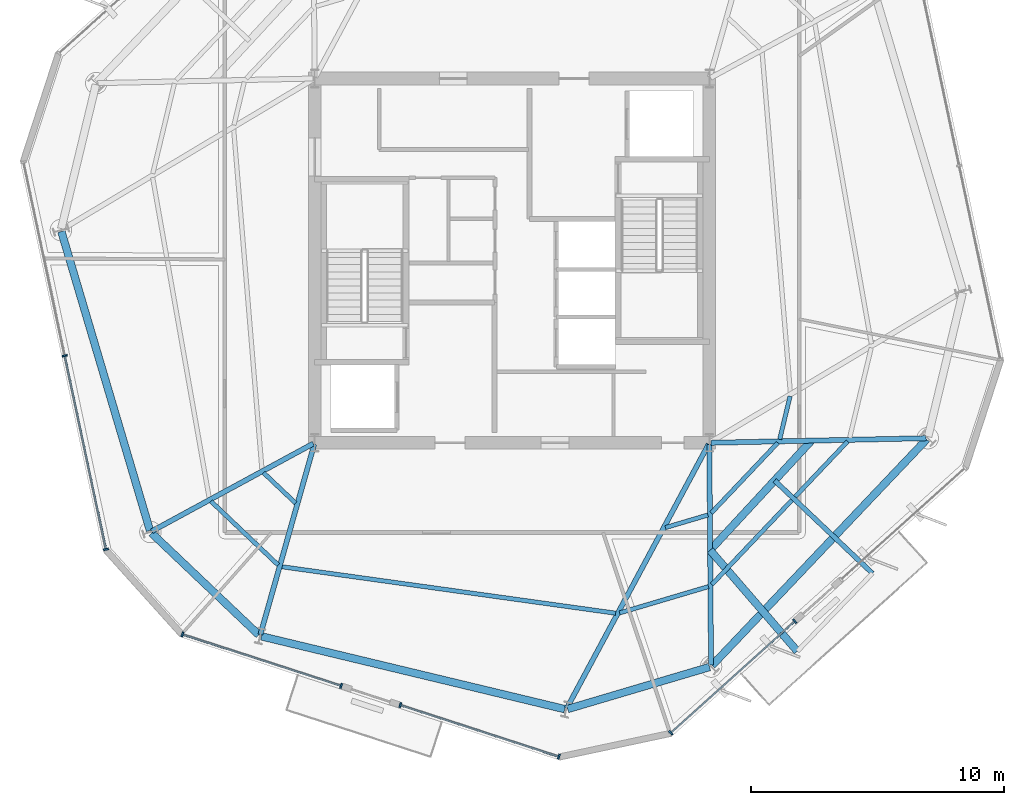
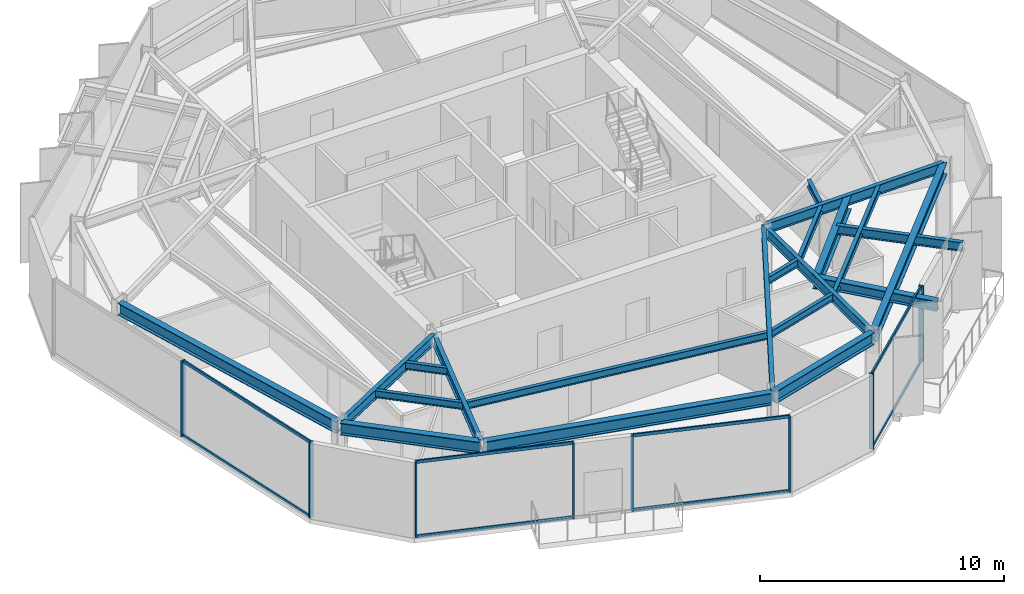
# One storey, part 2 of 11: 21 beams, 16 members, 4 elements without a shape of their own.
"""IFC4 building model written with IfcOpenShell, lengths in metres."""

import ifcopenshell
import ifcopenshell.guid

model = None  # the IFC model being written
_history = None  # IfcOwnerHistory: only IFC2X3 demands one
_inside = {}  # id of a spatial element -> (the spatial element, [elements in it])
_under = {}  # id of a project, library or spatial element -> (it, [spatial elements below it])
_declared = {}  # id of a project -> (the project, [libraries it declares])
_typed = {}  # id of a type object -> (the type object, [elements of that type])
_made_of = {}  # id of a material, layer set ... -> (it, [elements and type objects made of it])


def new_model(schema):
    """Start an empty IFC model of exactly this schema.

    Asked for "IFC4X3", IfcOpenShell would pick the latest addendum, in which some entities
    have other attributes; the version numbers below select the first issue.
    IFC2X3 requires an IfcOwnerHistory on every rooted entity: one is made here for all.
    """
    global model, _history
    if schema == "IFC4X3":
        model = ifcopenshell.file(schema_version=(4, 3, 0, 0))
    else:
        model = ifcopenshell.file(schema=schema)
    _inside.clear()
    _under.clear()
    _declared.clear()
    _typed.clear()
    _made_of.clear()
    _history = None
    if model.schema == "IFC2X3":
        org = make("IfcOrganization", Name="unknown")
        user = make(
            "IfcPersonAndOrganization",
            ThePerson=make("IfcPerson", FamilyName="unknown"),
            TheOrganization=org,
        )
        app = make(
            "IfcApplication",
            ApplicationDeveloper=org,
            Version="unknown",
            ApplicationFullName="unknown",
            ApplicationIdentifier="unknown",
        )
        _history = make(
            "IfcOwnerHistory",
            OwningUser=user,
            OwningApplication=app,
            ChangeAction="ADDED",
            CreationDate=0,
        )
    return model


def make(cls, **values):
    """One entity of the class cls with the attributes given. An attribute that is None is left unset."""
    return model.create_entity(
        cls, **{name: value for name, value in values.items() if value is not None}
    )


def rooted(cls, **values):
    """An entity with a GlobalId (a new one), such as an element, a storey or a relation."""
    return make(cls, GlobalId=ifcopenshell.guid.new(), OwnerHistory=_history, **values)


def si_unit(unit_type, name, prefix=None):
    """IfcSIUnit, for example si_unit("LENGTHUNIT", "METRE", prefix="MILLI")."""
    return make("IfcSIUnit", UnitType=unit_type, Prefix=prefix, Name=name)


def assignment(units):
    """IfcUnitAssignment: the units of a project."""
    return None if units is None else make("IfcUnitAssignment", Units=units)


def point(xyz):
    """IfcCartesianPoint."""
    return None if xyz is None else make("IfcCartesianPoint", Coordinates=xyz)


def direction(xyz):
    """IfcDirection."""
    return None if xyz is None else make("IfcDirection", DirectionRatios=xyz)


def frame(location, z_axis=None, x_axis=None):
    """IfcAxis2Placement3D, a coordinate frame: its origin and axes. An axis left out is left unset."""
    return make(
        "IfcAxis2Placement3D",
        Location=point(location),
        Axis=direction(z_axis),
        RefDirection=direction(x_axis),
    )


def frame_2d(location, x_axis=None):
    """IfcAxis2Placement2D, a coordinate frame in the plane: its origin and x axis."""
    return make(
        "IfcAxis2Placement2D", Location=point(location), RefDirection=direction(x_axis)
    )


def origin():
    """The frame at (0, 0, 0) with its axes left unset."""
    return frame((0.0, 0.0, 0.0))


def origin_2d():
    """The frame at (0, 0) in the plane with its x axis left unset."""
    return frame_2d((0.0, 0.0))


def place(relative_to, where):
    """IfcLocalPlacement: puts the frame where relative to a parent placement (None: the world)."""
    return make(
        "IfcLocalPlacement", PlacementRelTo=relative_to, RelativePlacement=where
    )


def context(
    kind, dimensions, precision=None, world=None, true_north=None, identifier=None
):
    """IfcGeometricRepresentationContext, for example the 3D "Model" context."""
    return make(
        "IfcGeometricRepresentationContext",
        ContextIdentifier=identifier,
        ContextType=kind,
        CoordinateSpaceDimension=dimensions,
        Precision=precision,
        WorldCoordinateSystem=world,
        TrueNorth=true_north,
    )


def subcontext(parent, identifier, kind, view, scale=None):
    """IfcGeometricRepresentationSubContext, for example "Body" below "Model"."""
    return make(
        "IfcGeometricRepresentationSubContext",
        ContextIdentifier=identifier,
        ContextType=kind,
        ParentContext=parent,
        TargetScale=scale,
        TargetView=view,
    )


def project(units=None, contexts=None):
    """IfcProject with its units and contexts."""
    return rooted(
        "IfcProject",
        Name="project",
        RepresentationContexts=contexts,
        UnitsInContext=assignment(units),
    )


def spatial(cls, under=None, at=None, **own):
    """A site, building, storey or space (cls), placed at a placement, below another one or the project."""
    s = rooted(cls, ObjectPlacement=at, **own)
    if under is not None:
        _under.setdefault(under.id(), (under, []))[1].append(s)
    return s


def profile(cls, at=None, kind="AREA", **sizes):
    """A parametric profile (cls). Its sizes go by their IFC names, for example OverallWidth=200.0."""
    return make(cls, ProfileType=kind, Position=at, **sizes)


def rectangle(**sizes):
    """IfcRectangleProfileDef."""
    return profile("IfcRectangleProfileDef", **sizes)


def i_section(**sizes):
    """IfcIShapeProfileDef."""
    return profile("IfcIShapeProfileDef", **sizes)


def extrude(swept, where, along, depth):
    """IfcExtrudedAreaSolid: the profile swept, set in the frame where, extruded along a direction by depth."""
    return make(
        "IfcExtrudedAreaSolid",
        SweptArea=swept,
        Position=where,
        ExtrudedDirection=direction(along),
        Depth=depth,
    )


def shape(context_of_items, identifier, shape_type, items):
    """IfcShapeRepresentation: the items that make up one representation, for example the "Body"."""
    return make(
        "IfcShapeRepresentation",
        ContextOfItems=context_of_items,
        RepresentationIdentifier=identifier,
        RepresentationType=shape_type,
        Items=items,
    )


def material(Name=None, Category=None):
    """IfcMaterial."""
    return make("IfcMaterial", Name=Name, Category=Category)


def layer(
    of_material, thickness, ventilated=None, Name=None, Category=None, Priority=None
):
    """IfcMaterialLayer: one layer of a wall or slab, of a material (None: an air gap)."""
    return make(
        "IfcMaterialLayer",
        Material=of_material,
        LayerThickness=thickness,
        IsVentilated=ventilated,
        Name=Name,
        Category=Category,
        Priority=Priority,
    )


def layer_set(layers, Name=None):
    """IfcMaterialLayerSet."""
    return make("IfcMaterialLayerSet", MaterialLayers=layers, LayerSetName=Name)


def material_profile(
    of_material, cross_section, Name=None, Category=None, Priority=None
):
    """IfcMaterialProfile: a cross section and its material."""
    return make(
        "IfcMaterialProfile",
        Name=Name,
        Material=of_material,
        Profile=cross_section,
        Priority=Priority,
        Category=Category,
    )


def profile_set(profiles, Name=None, composite=None):
    """IfcMaterialProfileSet."""
    return make(
        "IfcMaterialProfileSet",
        Name=Name,
        MaterialProfiles=profiles,
        CompositeProfile=composite,
    )


def made_of(thing, what):
    """Note that an element or type object is made of a material, layer set ...; save() writes the relation."""
    if what is not None:
        _made_of.setdefault(what.id(), (what, []))[1].append(thing)
    return thing


def type_object(cls, material=None, **own):
    """A type object (cls), such as IfcWallType, which elements share."""
    return made_of(rooted(cls, **own), material)


def element(
    cls,
    number,
    at=None,
    inside=None,
    cuts=None,
    type_object=None,
    material=None,
    context=None,
    identifier="Body",
    shape_type=None,
    held_by="IfcProductDefinitionShape",
    body=None,
    shapes=None,
    **own,
):
    """One element of the class cls, such as IfcWall. Its Tag is "e" and its number.

    at: its placement. inside: the storey or other place that contains it. cuts: it is an
    opening in that element (IfcRelVoidsElement). A single representation is given by context,
    identifier, shape_type and body (its items); several are given by shapes. held_by: the class
    of the entity that holds the representations. save() writes the other relations.
    """
    e = rooted(cls, Tag="e%d" % number, ObjectPlacement=at, **own)
    if body is not None:
        shapes = [shape(context, identifier, shape_type, body)]
    if shapes is not None:
        e.Representation = make(held_by, Representations=shapes)
    if inside is not None:
        _inside.setdefault(inside.id(), (inside, []))[1].append(e)
    if cuts is not None:
        rooted(
            "IfcRelVoidsElement", RelatingBuildingElement=cuts, RelatedOpeningElement=e
        )
    if type_object is not None:
        _typed.setdefault(type_object.id(), (type_object, []))[1].append(e)
    return made_of(e, material)


def aggregate(whole, parts):
    """IfcRelAggregates: a whole, such as a stair, and the parts it consists of."""
    return rooted("IfcRelAggregates", RelatingObject=whole, RelatedObjects=parts)


def save(model, path):
    """Write the relations noted so far, then the file.

    IfcRelAggregates (storeys below a building ...), IfcRelContainedInSpatialStructure (elements
    in a storey), IfcRelDefinesByType, IfcRelAssociatesMaterial and IfcRelDeclares: one each for
    every whole, place, type object, material and project.
    """
    for whole, parts in _under.values():
        aggregate(whole, parts)
    for where, things in _inside.values():
        rooted(
            "IfcRelContainedInSpatialStructure",
            RelatedElements=things,
            RelatingStructure=where,
        )
    for kind, things in _typed.values():
        rooted("IfcRelDefinesByType", RelatedObjects=things, RelatingType=kind)
    for what, things in _made_of.values():
        rooted("IfcRelAssociatesMaterial", RelatedObjects=things, RelatingMaterial=what)
    for by, libraries in _declared.values():
        rooted("IfcRelDeclares", RelatingContext=by, RelatedDefinitions=libraries)
    model.write(path)


model = new_model("IFC4")

# Units and contexts
model_context = context("Model", 3, precision=1e-05, world=origin(), true_north=direction((0.0, 1.0)))
body_context = subcontext(model_context, "Body", "Model", "MODEL_VIEW")
ifc_project = project(units=[si_unit("LENGTHUNIT", "METRE"), si_unit("AREAUNIT", "SQUARE_METRE"), si_unit("VOLUMEUNIT", "CUBIC_METRE"), si_unit("PLANEANGLEUNIT", "RADIAN"), si_unit("MASSUNIT", "GRAM", prefix="KILO")], contexts=[model_context])

# Site, building, storey
site_placement = place(None, origin())
site = spatial("IfcSite", under=ifc_project, at=site_placement, CompositionType="ELEMENT")
building_placement = place(site_placement, origin())
building = spatial("IfcBuilding", under=site, at=building_placement, Name="Kranzbogen Civic Tower", CompositionType="ELEMENT")
storey_placement = place(building_placement, frame((0.0, 0.0, 192.800048828125)))
storey = spatial("IfcBuildingStorey", under=building, at=storey_placement, Name="L46", CompositionType="ELEMENT", Elevation=192.800048828125)

# Beam
ifc_material_1 = material(Name="Steel S355", Category="steel")
ifc_material_profile_1 = material_profile(ifc_material_1, i_section(OverallWidth=0.18994140625, OverallDepth=0.449951171875, WebThickness=0.009521484375, FlangeThickness=0.0146484375, at=origin_2d()), Name="IPE 450")
ifc_profile_set_1 = profile_set([ifc_material_profile_1], Name="Steel S355")
beam_type_1 = type_object("IfcBeamType", Name="Braced Terrace Edge Beam IPE 450", PredefinedType="BEAM", material=ifc_profile_set_1)
beam_1_placement = place(storey_placement, frame((35.37890625, 16.31201171875, 3.52490234375), z_axis=(0.725451974353, -0.688272789603, 0.0), x_axis=(0.688272789603, 0.725451974353, 0.0)))
element("IfcBeam", 1, at=beam_1_placement, inside=storey, type_object=beam_type_1, Name="L47 back-spanned terrace beam L47-TB2-2", PredefinedType="BEAM", context=body_context, shape_type="SweptSolid", body=[
    extrude(i_section(OverallWidth=0.18994140625, OverallDepth=0.449951171875, WebThickness=0.009521484375, FlangeThickness=0.0146484375, at=origin_2d()), origin(), (0.0, 0.0, 1.0), 5.33203125),
])

# Curtain wall, members
ifc_material_2 = material(Name="Pale Anodised Aluminium", Category="aluminium")
ifc_layer = layer(ifc_material_2, 0.219970703125, Name="Pale Anodised Aluminium")
ifc_layer_set = layer_set([ifc_layer], Name="Pale Anodised Aluminium")
curtain_wall_type = type_object("IfcCurtainWallType", Name="Zone 3 Stick Curtain Wall System CW-04", PredefinedType="USERDEFINED", material=ifc_layer_set)
curtain_wall_1_placement = place(storey_placement, origin())
curtain_wall_1 = element("IfcCurtainWall", 2, at=curtain_wall_1_placement, inside=storey, type_object=curtain_wall_type, Name="L46 curtain wall CW-L46-F3", ObjectType="STICK CURTAIN WALL", PredefinedType="USERDEFINED")
ifc_material_profile_2 = material_profile(ifc_material_2, rectangle(XDim=0.070068359375, YDim=0.199951171875, at=origin_2d()), Name="ALU-M 70x200")
ifc_profile_set_2 = profile_set([ifc_material_profile_2], Name="Pale Anodised Aluminium")
member_type_1 = type_object("IfcMemberType", Name="Curtain Wall Mullion ALU-M 70x200", PredefinedType="MULLION", material=ifc_profile_set_2)
member_1_placement = place(storey_placement, frame((7.322998046875, 21.242431640625, 0.0), z_axis=(0.0, 0.0, 1.0), x_axis=(0.2079158588, -0.978146714793, 0.0)))
member_1 = element("IfcMember", 3, at=member_1_placement, type_object=member_type_1, Name="CW-04 mullion 2", PredefinedType="MULLION", context=body_context, shape_type="SweptSolid", body=[
    extrude(rectangle(XDim=0.070068359375, YDim=0.199951171875, at=origin_2d()), origin(), (0.0, 0.0, 1.0), 3.780029296875),
])
member_2_placement = place(storey_placement, frame((8.94970703125, 13.58935546875, 0.0), z_axis=(0.0, 0.0, 1.0), x_axis=(0.2079158588, -0.978146714793, 0.0)))
member_2 = element("IfcMember", 4, at=member_2_placement, type_object=member_type_1, Name="CW-04 mullion 3", PredefinedType="MULLION", context=body_context, shape_type="SweptSolid", body=[
    extrude(rectangle(XDim=0.070068359375, YDim=0.199951171875, at=origin_2d()), origin(), (0.0, 0.0, 1.0), 3.780029296875),
])

curtain_wall_2_placement = place(storey_placement, origin())
curtain_wall_2 = element("IfcCurtainWall", 5, at=curtain_wall_2_placement, inside=storey, type_object=curtain_wall_type, Name="L46 curtain wall CW-L46-F4-S1", ObjectType="STICK CURTAIN WALL", PredefinedType="USERDEFINED")
member_3_placement = place(storey_placement, frame((11.974609375, 10.230712890625, 0.0), z_axis=(0.0, 0.0, 1.0), x_axis=(0.951060572713, -0.309004509725, 0.0)))
member_3 = element("IfcMember", 6, at=member_3_placement, type_object=member_type_1, Name="CW-04 mullion 1", PredefinedType="MULLION", context=body_context, shape_type="SweptSolid", body=[
    extrude(rectangle(XDim=0.070068359375, YDim=0.199951171875, at=origin_2d()), origin(), (0.0, 0.0, 1.0), 3.780029296875),
])
member_4_placement = place(storey_placement, frame((18.245361328125, 8.193359375, 0.0), z_axis=(0.0, 0.0, 1.0), x_axis=(0.951060572713, -0.309004509725, 0.0)))
member_4 = element("IfcMember", 7, at=member_4_placement, type_object=member_type_1, Name="CW-04 mullion 2", PredefinedType="MULLION", context=body_context, shape_type="SweptSolid", body=[
    extrude(rectangle(XDim=0.070068359375, YDim=0.199951171875, at=origin_2d()), origin(), (0.0, 0.0, 1.0), 3.780029296875),
])

curtain_wall_3_placement = place(storey_placement, origin())
curtain_wall_3 = element("IfcCurtainWall", 8, at=curtain_wall_3_placement, inside=storey, type_object=curtain_wall_type, Name="L46 curtain wall CW-L46-F4-S2", ObjectType="STICK CURTAIN WALL", PredefinedType="USERDEFINED")
member_5_placement = place(storey_placement, frame((20.58544921875, 7.4326171875, 0.0), z_axis=(0.0, 0.0, 1.0), x_axis=(0.951060572713, -0.309004509725, 0.0)))
member_5 = element("IfcMember", 9, at=member_5_placement, type_object=member_type_1, Name="CW-04 mullion 1", PredefinedType="MULLION", context=body_context, shape_type="SweptSolid", body=[
    extrude(rectangle(XDim=0.070068359375, YDim=0.199951171875, at=origin_2d()), origin(), (0.0, 0.0, 1.0), 3.780029296875),
])
member_6_placement = place(storey_placement, frame((26.8564453125, 5.395263671875, 0.0), z_axis=(0.0, 0.0, 1.0), x_axis=(0.951060572713, -0.309004509725, 0.0)))
member_6 = element("IfcMember", 10, at=member_6_placement, type_object=member_type_1, Name="CW-04 mullion 2", PredefinedType="MULLION", context=body_context, shape_type="SweptSolid", body=[
    extrude(rectangle(XDim=0.070068359375, YDim=0.199951171875, at=origin_2d()), origin(), (0.0, 0.0, 1.0), 3.780029296875),
])

curtain_wall_4_placement = place(storey_placement, origin())
curtain_wall_4 = element("IfcCurtainWall", 11, at=curtain_wall_4_placement, inside=storey, type_object=curtain_wall_type, Name="L46 curtain wall CW-L46-F5-S1", ObjectType="STICK CURTAIN WALL", PredefinedType="USERDEFINED")
member_7_placement = place(storey_placement, frame((31.2783203125, 6.3349609375, 0.0), z_axis=(0.0, 0.0, 1.0), x_axis=(0.743114748372, 0.669164008859, 0.0)))
member_7 = element("IfcMember", 12, at=member_7_placement, type_object=member_type_1, Name="CW-04 mullion 1", PredefinedType="MULLION", context=body_context, shape_type="SweptSolid", body=[
    extrude(rectangle(XDim=0.070068359375, YDim=0.199951171875, at=origin_2d()), origin(), (0.0, 0.0, 1.0), 3.780029296875),
])
member_8_placement = place(storey_placement, frame((36.177734375, 10.746826171875, 0.0), z_axis=(0.0, 0.0, 1.0), x_axis=(0.743114748372, 0.669164008859, 0.0)))
member_8 = element("IfcMember", 13, at=member_8_placement, type_object=member_type_1, Name="CW-04 mullion 2", PredefinedType="MULLION", context=body_context, shape_type="SweptSolid", body=[
    extrude(rectangle(XDim=0.070068359375, YDim=0.199951171875, at=origin_2d()), origin(), (0.0, 0.0, 1.0), 3.780029296875),
])

# Member
ifc_material_profile_3 = material_profile(ifc_material_2, rectangle(XDim=0.070068359375, YDim=0.14990234375, at=origin_2d()), Name="ALU-T 70x150")
ifc_profile_set_3 = profile_set([ifc_material_profile_3], Name="Pale Anodised Aluminium")
member_type_2 = type_object("IfcMemberType", Name="Curtain Wall Transom ALU-T 70x150", PredefinedType="USERDEFINED", material=ifc_profile_set_3)
member_9_placement = place(storey_placement, frame((7.329345703125, 21.213134765625, 0.030029296875), z_axis=(0.207911782161, -0.978147581318, 0.0), x_axis=(0.978147581318, 0.207911782161, 0.0)))
member_9 = element("IfcMember", 14, at=member_9_placement, type_object=member_type_2, Name="CW-04 transom 2.1", ObjectType="TRANSOM", PredefinedType="USERDEFINED", context=body_context, shape_type="SweptSolid", body=[
    extrude(rectangle(XDim=0.070068359375, YDim=0.14990234375, at=origin_2d()), origin(), (0.0, 0.0, 1.0), 7.76416015625),
])

member_10_placement = place(storey_placement, frame((7.329345703125, 21.213134765625, 3.75), z_axis=(0.207911782161, -0.978147581318, 0.0), x_axis=(0.978147581318, 0.207911782161, 0.0)))
member_10 = element("IfcMember", 15, at=member_10_placement, type_object=member_type_2, Name="CW-04 transom 2.2", ObjectType="TRANSOM", PredefinedType="USERDEFINED", context=body_context, shape_type="SweptSolid", body=[
    extrude(rectangle(XDim=0.070068359375, YDim=0.14990234375, at=origin_2d()), origin(), (0.0, 0.0, 1.0), 7.76416015625),
])

aggregate(curtain_wall_1, [member_1, member_2, member_9, member_10])

member_11_placement = place(storey_placement, frame((12.003173828125, 10.221435546875, 0.030029296875), z_axis=(0.951065917551, -0.308988058786, 0.0), x_axis=(0.308988058786, 0.951065917551, 0.0)))
member_11 = element("IfcMember", 16, at=member_11_placement, type_object=member_type_2, Name="CW-04 transom 1.1", ObjectType="TRANSOM", PredefinedType="USERDEFINED", context=body_context, shape_type="SweptSolid", body=[
    extrude(rectangle(XDim=0.070068359375, YDim=0.14990234375, at=origin_2d()), origin(), (0.0, 0.0, 1.0), 6.53369140625),
])

member_12_placement = place(storey_placement, frame((12.003173828125, 10.221435546875, 3.75), z_axis=(0.951065917551, -0.308988058786, 0.0), x_axis=(0.308988058786, 0.951065917551, 0.0)))
member_12 = element("IfcMember", 17, at=member_12_placement, type_object=member_type_2, Name="CW-04 transom 1.2", ObjectType="TRANSOM", PredefinedType="USERDEFINED", context=body_context, shape_type="SweptSolid", body=[
    extrude(rectangle(XDim=0.070068359375, YDim=0.14990234375, at=origin_2d()), origin(), (0.0, 0.0, 1.0), 6.53369140625),
])

aggregate(curtain_wall_2, [member_3, member_4, member_11, member_12])

member_13_placement = place(storey_placement, frame((20.614013671875, 7.42333984375, 0.030029296875), z_axis=(0.951065917551, -0.308988058786, 0.0), x_axis=(0.308988058786, 0.951065917551, 0.0)))
member_13 = element("IfcMember", 18, at=member_13_placement, type_object=member_type_2, Name="CW-04 transom 1.1", ObjectType="TRANSOM", PredefinedType="USERDEFINED", context=body_context, shape_type="SweptSolid", body=[
    extrude(rectangle(XDim=0.070068359375, YDim=0.14990234375, at=origin_2d()), origin(), (0.0, 0.0, 1.0), 6.53369140625),
])

member_14_placement = place(storey_placement, frame((20.614013671875, 7.42333984375, 3.75), z_axis=(0.951065917551, -0.308988058786, 0.0), x_axis=(0.308988058786, 0.951065917551, 0.0)))
member_14 = element("IfcMember", 19, at=member_14_placement, type_object=member_type_2, Name="CW-04 transom 1.2", ObjectType="TRANSOM", PredefinedType="USERDEFINED", context=body_context, shape_type="SweptSolid", body=[
    extrude(rectangle(XDim=0.070068359375, YDim=0.14990234375, at=origin_2d()), origin(), (0.0, 0.0, 1.0), 6.53369140625),
])

aggregate(curtain_wall_3, [member_5, member_6, member_13, member_14])

member_15_placement = place(storey_placement, frame((31.300537109375, 6.355224609375, 0.030029296875), z_axis=(0.743134323017, 0.669142270338, 0.0), x_axis=(-0.669142270338, 0.743134323017, 0.0)))
member_15 = element("IfcMember", 20, at=member_15_placement, type_object=member_type_2, Name="CW-04 transom 1.1", ObjectType="TRANSOM", PredefinedType="USERDEFINED", context=body_context, shape_type="SweptSolid", body=[
    extrude(rectangle(XDim=0.070068359375, YDim=0.14990234375, at=origin_2d()), origin(), (0.0, 0.0, 1.0), 6.533203125),
])

member_16_placement = place(storey_placement, frame((31.300537109375, 6.355224609375, 3.75), z_axis=(0.743134323017, 0.669142270338, 0.0), x_axis=(-0.669142270338, 0.743134323017, 0.0)))
member_16 = element("IfcMember", 21, at=member_16_placement, type_object=member_type_2, Name="CW-04 transom 1.2", ObjectType="TRANSOM", PredefinedType="USERDEFINED", context=body_context, shape_type="SweptSolid", body=[
    extrude(rectangle(XDim=0.070068359375, YDim=0.14990234375, at=origin_2d()), origin(), (0.0, 0.0, 1.0), 6.533203125),
])

aggregate(curtain_wall_4, [member_7, member_8, member_15, member_16])

# Beams
ifc_material_profile_4 = material_profile(ifc_material_1, i_section(OverallWidth=0.300048828125, OverallDepth=0.5, WebThickness=0.014404296875, FlangeThickness=0.028076171875, at=origin_2d()), Name="HEB 500")
ifc_profile_set_4 = profile_set([ifc_material_profile_4], Name="Steel S355")
beam_type_2 = type_object("IfcBeamType", Name="Perimeter Tube Spandrel Beam HEB 500", PredefinedType="SPANDREL", material=ifc_profile_set_4)
beam_2_placement = place(storey_placement, frame((32.83203125, 13.555908203125, 3.5), z_axis=(0.653086054524, -0.757283702047, 0.0), x_axis=(0.757283702047, 0.653086054524, 0.0)))
element("IfcBeam", 22, at=beam_2_placement, inside=storey, type_object=beam_type_2, Name="L47 back-spanned terrace beam L47-TB2-1", PredefinedType="SPANDREL", context=body_context, shape_type="SweptSolid", body=[
    extrude(i_section(OverallWidth=0.300048828125, OverallDepth=0.5, WebThickness=0.014404296875, FlangeThickness=0.028076171875, at=origin_2d()), origin(), (0.0, 0.0, 1.0), 5.276611328125),
])
ifc_material_profile_5 = material_profile(ifc_material_1, i_section(OverallWidth=0.300048828125, OverallDepth=0.60009765625, WebThickness=0.015380859375, FlangeThickness=0.030029296875, at=origin_2d()), Name="HEB 600")
ifc_profile_set_5 = profile_set([ifc_material_profile_5], Name="Steel S355")
beam_type_3 = type_object("IfcBeamType", Name="Perimeter Tube Spandrel Beam HEB 600", PredefinedType="SPANDREL", material=ifc_profile_set_5)
beam_3_placement = place(storey_placement, frame((10.7509765625, 14.235107421875, 3.47998046875), z_axis=(0.725245206788, -0.688490660816, 0.0), x_axis=(0.688490660816, 0.725245206788, 0.0)))
element("IfcBeam", 23, at=beam_3_placement, inside=storey, type_object=beam_type_3, Name="L46 perimeter spandrel beam 01", PredefinedType="SPANDREL", context=body_context, shape_type="SweptSolid", body=[
    extrude(i_section(OverallWidth=0.300048828125, OverallDepth=0.60009765625, WebThickness=0.015380859375, FlangeThickness=0.030029296875, at=origin_2d()), origin(), (0.0, 0.0, 1.0), 5.85205078125),
])
beam_4_placement = place(storey_placement, frame((15.096923828125, 10.15087890625, 3.47998046875), z_axis=(0.972377592092, -0.233413406637, 0.0), x_axis=(0.233413406637, 0.972377592092, 0.0)))
element("IfcBeam", 24, at=beam_4_placement, inside=storey, type_object=beam_type_3, Name="L46 perimeter spandrel beam 02", PredefinedType="SPANDREL", context=body_context, shape_type="SweptSolid", body=[
    extrude(i_section(OverallWidth=0.300048828125, OverallDepth=0.60009765625, WebThickness=0.015380859375, FlangeThickness=0.030029296875, at=origin_2d()), origin(), (0.0, 0.0, 1.0), 12.32568359375),
])
beam_5_placement = place(storey_placement, frame((27.197998046875, 7.277099609375, 3.47998046875), z_axis=(0.9588296723, 0.283981794341, 0.0), x_axis=(-0.283981794341, 0.9588296723, 0.0)))
element("IfcBeam", 25, at=beam_5_placement, inside=storey, type_object=beam_type_3, Name="L46 perimeter spandrel beam 03", PredefinedType="SPANDREL", context=body_context, shape_type="SweptSolid", body=[
    extrude(i_section(OverallWidth=0.300048828125, OverallDepth=0.60009765625, WebThickness=0.015380859375, FlangeThickness=0.030029296875, at=origin_2d()), origin(), (0.0, 0.0, 1.0), 5.85205078125),
])
beam_6_placement = place(storey_placement, frame((32.907958984375, 9.0, 3.47998046875), z_axis=(0.688373497874, 0.725356414065, 0.0), x_axis=(-0.725356414065, 0.688373497874, 0.0)))
element("IfcBeam", 26, at=beam_6_placement, inside=storey, type_object=beam_type_3, Name="L46 perimeter spandrel beam 04", PredefinedType="SPANDREL", context=body_context, shape_type="SweptSolid", body=[
    extrude(i_section(OverallWidth=0.300048828125, OverallDepth=0.60009765625, WebThickness=0.015380859375, FlangeThickness=0.030029296875, at=origin_2d()), origin(), (0.0, 0.0, 1.0), 12.324951171875),
])
beam_7_placement = place(storey_placement, frame((7.18896484375, 26.15087890625, 3.47998046875), z_axis=(0.284064048956, -0.958805306666, 0.0), x_axis=(0.958805306666, 0.284064048956, 0.0)))
element("IfcBeam", 27, at=beam_7_placement, inside=storey, type_object=beam_type_3, Name="L46 perimeter spandrel beam 12", PredefinedType="SPANDREL", context=body_context, shape_type="SweptSolid", body=[
    extrude(i_section(OverallWidth=0.300048828125, OverallDepth=0.60009765625, WebThickness=0.015380859375, FlangeThickness=0.030029296875, at=origin_2d()), origin(), (0.0, 0.0, 1.0), 12.32470703125),
])
ifc_material_profile_6 = material_profile(ifc_material_1, i_section(OverallWidth=0.300048828125, OverallDepth=0.699951171875, WebThickness=0.01708984375, FlangeThickness=0.031982421875, at=origin_2d()), Name="HEB 700")
ifc_profile_set_6 = profile_set([ifc_material_profile_6], Name="Steel S355")
beam_type_4 = type_object("IfcBeamType", Name="Perimeter Tube Spandrel Beam HEB 700", PredefinedType="SPANDREL", material=ifc_profile_set_6)
beam_8_placement = place(storey_placement, frame((32.83203125, 13.555908203125, 3.39990234375), z_axis=(0.678733988671, 0.734384213218, 0.0), x_axis=(-0.734384213218, 0.678733988671, 0.0)))
element("IfcBeam", 28, at=beam_8_placement, inside=storey, type_object=beam_type_4, Name="L47 balcony back-span header girder L47-TB2", PredefinedType="SPANDREL", context=body_context, shape_type="SweptSolid", body=[
    extrude(i_section(OverallWidth=0.300048828125, OverallDepth=0.699951171875, WebThickness=0.01708984375, FlangeThickness=0.031982421875, at=origin_2d()), origin(), (0.0, 0.0, 1.0), 5.896240234375),
])
ifc_material_profile_7 = material_profile(ifc_material_1, i_section(OverallWidth=0.199951171875, OverallDepth=0.5, WebThickness=0.01025390625, FlangeThickness=0.01611328125, at=origin_2d()), Name="IPE 500")
ifc_profile_set_7 = profile_set([ifc_material_profile_7], Name="Steel S355")
beam_type_5 = type_object("IfcBeamType", Name="Radial Tower Floor Girder IPE 500", PredefinedType="BEAM", material=ifc_profile_set_7)
beam_9_placement = place(storey_placement, frame((10.760009765625, 14.304931640625, 3.530029296875), z_axis=(0.878919430102, 0.476970266777, 0.0), x_axis=(-0.476970266777, 0.878919430102, 0.0)))
element("IfcBeam", 29, at=beam_9_placement, inside=storey, type_object=beam_type_5, Name="L46 radial floor girder 01", PredefinedType="BEAM", context=body_context, shape_type="SweptSolid", body=[
    extrude(i_section(OverallWidth=0.199951171875, OverallDepth=0.5, WebThickness=0.01025390625, FlangeThickness=0.01611328125, at=origin_2d()), origin(), (0.0, 0.0, 1.0), 7.266845703125),
])
beam_10_placement = place(storey_placement, frame((15.054931640625, 10.222900390625, 3.530029296875), z_axis=(0.272455078988, 0.962168503919, 0.0), x_axis=(-0.962168503919, 0.272455078988, 0.0)))
element("IfcBeam", 30, at=beam_10_placement, inside=storey, type_object=beam_type_5, Name="L46 radial floor girder 02", PredefinedType="BEAM", context=body_context, shape_type="SweptSolid", body=[
    extrude(i_section(OverallWidth=0.199951171875, OverallDepth=0.5, WebThickness=0.01025390625, FlangeThickness=0.01611328125, at=origin_2d()), origin(), (0.0, 0.0, 1.0), 7.814697265625),
])
beam_11_placement = place(storey_placement, frame((27.16796875, 7.31298828125, 3.530029296875), z_axis=(0.473160413549, 0.880976289721, 0.0), x_axis=(-0.880976289721, 0.473160413549, 0.0)))
element("IfcBeam", 31, at=beam_11_placement, inside=storey, type_object=beam_type_5, Name="L46 radial floor girder 03", PredefinedType="BEAM", context=body_context, shape_type="SweptSolid", body=[
    extrude(i_section(OverallWidth=0.199951171875, OverallDepth=0.5, WebThickness=0.01025390625, FlangeThickness=0.01611328125, at=origin_2d()), origin(), (0.0, 0.0, 1.0), 11.84375),
])
beam_12_placement = place(storey_placement, frame((32.866943359375, 9.01611328125, 3.530029296875), z_axis=(-0.007667756557, 0.999970602323, 0.0), x_axis=(-0.999970602323, -0.007667756557, 0.0)))
element("IfcBeam", 32, at=beam_12_placement, inside=storey, type_object=beam_type_5, Name="L46 radial floor girder 04", PredefinedType="BEAM", context=body_context, shape_type="SweptSolid", body=[
    extrude(i_section(OverallWidth=0.199951171875, OverallDepth=0.5, WebThickness=0.01025390625, FlangeThickness=0.01611328125, at=origin_2d()), origin(), (0.0, 0.0, 1.0), 8.72412109375),
])
beam_13_placement = place(storey_placement, frame((41.373046875, 17.98291015625, 3.530029296875), z_axis=(-0.99977183191, -0.021360808018, 0.0), x_axis=(0.021360808018, -0.99977183191, 0.0)))
element("IfcBeam", 33, at=beam_13_placement, inside=storey, type_object=beam_type_5, Name="L46 radial floor girder 05", PredefinedType="BEAM", context=body_context, shape_type="SweptSolid", body=[
    extrude(i_section(OverallWidth=0.199951171875, OverallDepth=0.5, WebThickness=0.01025390625, FlangeThickness=0.01611328125, at=origin_2d()), origin(), (0.0, 0.0, 1.0), 8.514892578125),
])
ifc_material_profile_8 = material_profile(ifc_material_1, i_section(OverallWidth=0.169921875, OverallDepth=0.360107421875, WebThickness=0.008056640625, FlangeThickness=0.0126953125, at=origin_2d()), Name="IPE 360")
ifc_profile_set_8 = profile_set([ifc_material_profile_8], Name="Steel S355")
beam_type_6 = type_object("IfcBeamType", Name="Secondary Composite Floor Joist IPE 360", PredefinedType="JOIST", material=ifc_profile_set_8)
beam_14_placement = place(storey_placement, frame((13.10302734375, 15.489990234375, 3.599853515625), z_axis=(0.725300648604, -0.688432254572, 0.0), x_axis=(0.688432254572, 0.725300648604, 0.0)))
element("IfcBeam", 34, at=beam_14_placement, inside=storey, type_object=beam_type_6, Name="L46 secondary floor joist 1.01", PredefinedType="JOIST", context=body_context, shape_type="SweptSolid", body=[
    extrude(i_section(OverallWidth=0.169921875, OverallDepth=0.360107421875, WebThickness=0.008056640625, FlangeThickness=0.0126953125, at=origin_2d()), origin(), (0.0, 0.0, 1.0), 3.661865234375),
])
beam_15_placement = place(storey_placement, frame((15.179931640625, 16.616943359375, 3.599853515625), z_axis=(0.725479767774, -0.688243493649, 0.0), x_axis=(0.688243493649, 0.725479767774, 0.0)))
element("IfcBeam", 35, at=beam_15_placement, inside=storey, type_object=beam_type_6, Name="L46 secondary floor joist 2.01", PredefinedType="JOIST", context=body_context, shape_type="SweptSolid", body=[
    extrude(i_section(OverallWidth=0.169921875, OverallDepth=0.360107421875, WebThickness=0.008056640625, FlangeThickness=0.0126953125, at=origin_2d()), origin(), (0.0, 0.0, 1.0), 1.75048828125),
])
beam_16_placement = place(storey_placement, frame((15.89599609375, 12.903076171875, 3.599853515625), z_axis=(0.990445837232, -0.137902296968, 0.0), x_axis=(0.137902296968, 0.990445837232, 0.0)))
element("IfcBeam", 36, at=beam_16_placement, inside=storey, type_object=beam_type_6, Name="L46 secondary floor joist 1.02", PredefinedType="JOIST", context=body_context, shape_type="SweptSolid", body=[
    extrude(i_section(OverallWidth=0.169921875, OverallDepth=0.360107421875, WebThickness=0.008056640625, FlangeThickness=0.0126953125, at=origin_2d()), origin(), (0.0, 0.0, 1.0), 13.329345703125),
])
beam_17_placement = place(storey_placement, frame((29.25390625, 11.076904296875, 3.599853515625), z_axis=(0.958843823165, 0.283934011309, 0.0), x_axis=(-0.283934011309, 0.958843823165, 0.0)))
element("IfcBeam", 37, at=beam_17_placement, inside=storey, type_object=beam_type_6, Name="L46 secondary floor joist 1.03", PredefinedType="JOIST", context=body_context, shape_type="SweptSolid", body=[
    extrude(i_section(OverallWidth=0.169921875, OverallDepth=0.360107421875, WebThickness=0.008056640625, FlangeThickness=0.0126953125, at=origin_2d()), origin(), (0.0, 0.0, 1.0), 3.662841796875),
])
beam_18_placement = place(storey_placement, frame((31.06591796875, 14.449951171875, 3.599853515625), z_axis=(0.958871214757, 0.283841493638, 0.0), x_axis=(-0.283841493638, 0.958871214757, 0.0)))
element("IfcBeam", 38, at=beam_18_placement, inside=storey, type_object=beam_type_6, Name="L46 secondary floor joist 2.03", PredefinedType="JOIST", context=body_context, shape_type="SweptSolid", body=[
    extrude(i_section(OverallWidth=0.169921875, OverallDepth=0.360107421875, WebThickness=0.008056640625, FlangeThickness=0.0126953125, at=origin_2d()), origin(), (0.0, 0.0, 1.0), 1.751220703125),
])
beam_19_placement = place(storey_placement, frame((32.89794921875, 12.197998046875, 3.599853515625), z_axis=(0.688282381634, 0.725442873789, 0.0), x_axis=(-0.725442873789, 0.688282381634, 0.0)))
element("IfcBeam", 39, at=beam_19_placement, inside=storey, type_object=beam_type_6, Name="L46 secondary floor joist 1.04", PredefinedType="JOIST", context=body_context, shape_type="SweptSolid", body=[
    extrude(i_section(OverallWidth=0.169921875, OverallDepth=0.360107421875, WebThickness=0.008056640625, FlangeThickness=0.0126953125, at=origin_2d()), origin(), (0.0, 0.0, 1.0), 7.804931640625),
])
beam_20_placement = place(storey_placement, frame((32.876953125, 15.028076171875, 3.599853515625), z_axis=(0.688175084876, 0.725544659243, 0.0), x_axis=(-0.725544659243, 0.688175084876, 0.0)))
element("IfcBeam", 40, at=beam_20_placement, inside=storey, type_object=beam_type_6, Name="L46 secondary floor joist 2.04", PredefinedType="JOIST", context=body_context, shape_type="SweptSolid", body=[
    extrude(i_section(OverallWidth=0.169921875, OverallDepth=0.360107421875, WebThickness=0.008056640625, FlangeThickness=0.0126953125, at=origin_2d()), origin(), (0.0, 0.0, 1.0), 3.82177734375),
])
beam_21_placement = place(storey_placement, frame((35.5810546875, 17.93701171875, 3.599853515625), z_axis=(0.233631438607, 0.972325228972, 0.0), x_axis=(-0.972325228972, 0.233631438607, 0.0)))
element("IfcBeam", 41, at=beam_21_placement, inside=storey, type_object=beam_type_6, Name="L46 secondary floor joist 2.05", PredefinedType="JOIST", context=body_context, shape_type="SweptSolid", body=[
    extrude(i_section(OverallWidth=0.169921875, OverallDepth=0.360107421875, WebThickness=0.008056640625, FlangeThickness=0.0126953125, at=origin_2d()), origin(), (0.0, 0.0, 1.0), 1.750244140625),
])

save(model, "model.ifc")
